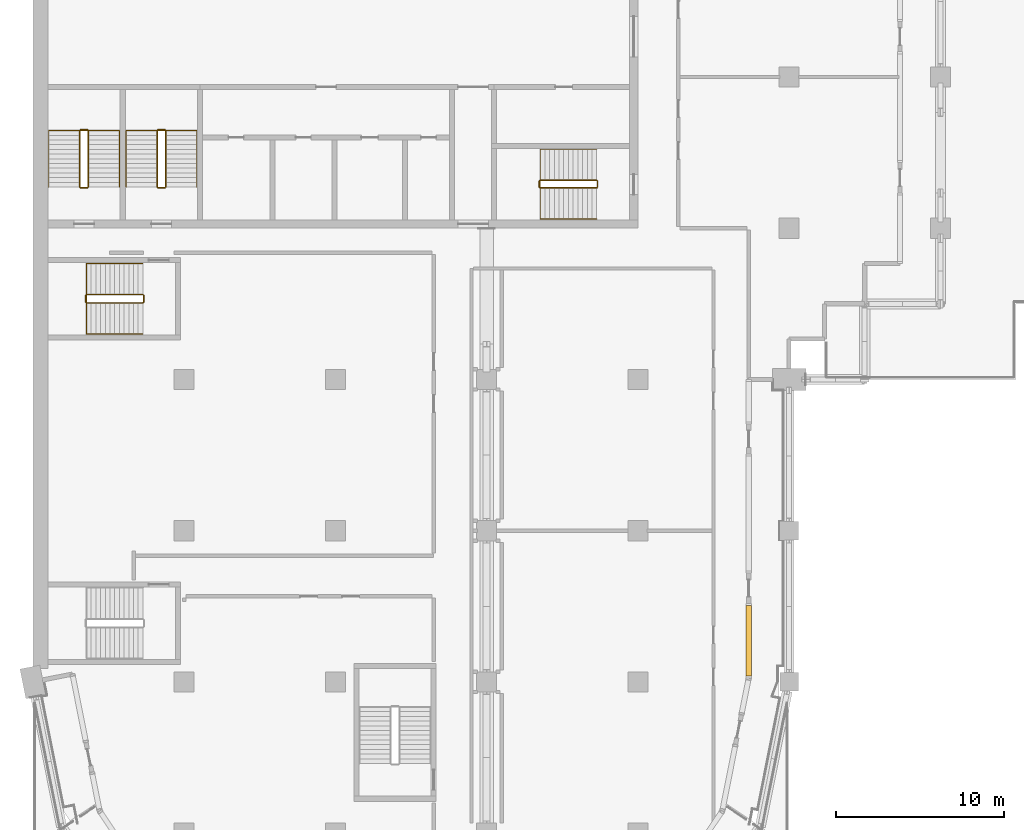
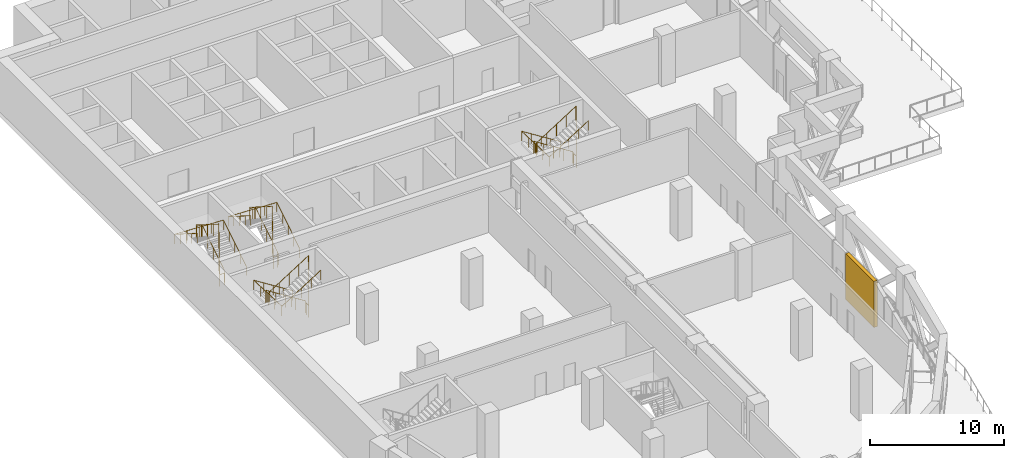
# One storey, part 18 of 20: 8 railings, 1 shading device.
"""IFC4 building model written with IfcOpenShell, lengths in metres."""

from ifc_helpers import new_model, si_unit, direction, frame, origin, origin_2d, place, context, subcontext, project, spatial, rectangle, circle, extrude, material, layer, layer_set, type_object, element, save


model = new_model("IFC4")

# Units and contexts
model_context = context("Model", 3, precision=1e-05, world=origin(), true_north=direction((0.0, 1.0)))
body_context = subcontext(model_context, "Body", "Model", "MODEL_VIEW")
ifc_project = project(units=[si_unit("LENGTHUNIT", "METRE"), si_unit("AREAUNIT", "SQUARE_METRE"), si_unit("VOLUMEUNIT", "CUBIC_METRE"), si_unit("PLANEANGLEUNIT", "RADIAN"), si_unit("MASSUNIT", "GRAM", prefix="KILO")], contexts=[model_context])

# Site, building, storey
site_placement = place(None, origin())
site = spatial("IfcSite", under=ifc_project, at=site_placement, CompositionType="ELEMENT")
building_placement = place(site_placement, origin())
building = spatial("IfcBuilding", under=site, at=building_placement, Name="Hunhe Ridgeline Campus", CompositionType="ELEMENT")
storey_placement = place(building_placement, frame((0.0, 0.0, 178.199951171875)))
storey = spatial("IfcBuildingStorey", under=building, at=storey_placement, Name="L45", CompositionType="ELEMENT", Elevation=178.199951171875)

# Shading device
ifc_material_1 = material(Name="Aluminium 6063", Category="aluminium")
ifc_layer = layer(ifc_material_1, 0.300048828125)
ifc_layer_set = layer_set([ifc_layer], Name="Louvre bank 300 Aluminium 6063")
shading_device_type = type_object("IfcShadingDeviceType", Name="Louvre bank 300 Aluminium 6063", PredefinedType="USERDEFINED", material=ifc_layer_set)
shading_device_placement = place(storey_placement, frame((42.59912109375, 38.45703125, 0.0), z_axis=(0.0, 0.0, 1.0), x_axis=(6.530062e-06, 0.999999999979, 0.0)))
element("IfcShadingDevice", 1, at=shading_device_placement, inside=storey, type_object=shading_device_type, Name="Louvre bank 17", ObjectType="LOUVRE", PredefinedType="USERDEFINED", context=body_context, shape_type="SweptSolid", body=[
    extrude(rectangle(XDim=4.200927734375, YDim=0.300048828125, at=origin_2d()), origin(), (0.0, 0.0, 1.0), 4.199951171875),
])

# Railings
ifc_material_2 = material(Name="Stainless steel balustrade", Category="steel")
railing_type_1 = type_object("IfcRailingType", Name="Stair guard 1100 stainless", PredefinedType="GUARDRAIL", material=ifc_material_2)
railing_1_placement = place(storey_placement, frame((33.550048828125, 65.85009765625, 0.177001953125)))
element("IfcRailing", 2, at=railing_1_placement, inside=storey, type_object=railing_type_1, Name="L45 stair S2 guard", PredefinedType="GUARDRAIL", context=body_context, shape_type="SweptSolid", body=[
    extrude(circle(Radius=0.02392578125, at=origin_2d()), frame((0.0, 0.0, 1.076171875), z_axis=(-0.845389635667, 0.0, 0.534150132366), x_axis=(0.0, -1.0, 0.0)), (0.0, 0.0, 1.0), 3.974609375),
    extrude(circle(Radius=0.02392578125, at=origin_2d()), frame((-3.360107421875, 0.0, 3.19921875), z_axis=(-0.707106781187, -0.707106781187, 0.0), x_axis=(0.707106781187, -0.707106781187, 0.0)), (0.0, 0.0, 1.0), 0.07080078125),
    extrude(circle(Radius=0.02392578125, at=origin_2d()), frame((-3.41015625, -0.050048828125, 3.19921875), z_axis=(0.0, -1.0, 0.0), x_axis=(1.0, 0.0, 0.0)), (0.0, 0.0, 1.0), 0.35009765625),
    extrude(circle(Radius=0.02392578125, at=origin_2d()), frame((-3.41015625, -0.400146484375, 3.19921875), z_axis=(0.262545553595, -0.262545553595, 0.928514762713), x_axis=(0.707106781187, 0.707106781187, 0.0)), (0.0, 0.0, 1.0), 0.190673828125),
    extrude(circle(Radius=0.02392578125, at=origin_2d()), frame((-3.360107421875, -0.4501953125, 3.3759765625), z_axis=(0.845389635667, 0.0, 0.534150132366), x_axis=(0.0, 1.0, 0.0)), (0.0, 0.0, 1.0), 3.974609375),
    extrude(circle(Radius=0.02392578125, at=origin_2d()), frame((0.0, -0.4501953125, 5.4990234375), z_axis=(0.010878661383, 0.010878661383, -0.999881647723), x_axis=(-0.707106781187, 0.707106781187, 0.0)), (0.0, 0.0, 1.0), 4.6005859375),
    extrude(circle(Radius=0.02392578125, at=origin_2d()), frame((0.050048828125, -0.400146484375, 0.89892578125), z_axis=(0.0, 1.0, 0.0), x_axis=(-1.0, 0.0, 0.0)), (0.0, 0.0, 1.0), 0.35009765625),
    extrude(circle(Radius=0.02099609375, at=origin_2d()), origin(), (0.0, 0.0, 1.0), 1.052001953125),
    extrude(circle(Radius=0.02099609375, at=origin_2d()), frame((-0.840087890625, 0.0, 0.53076171875)), (0.0, 0.0, 1.0), 1.052001953125),
    extrude(circle(Radius=0.02099609375, at=origin_2d()), frame((-1.68017578125, 0.0, 1.0615234375)), (0.0, 0.0, 1.0), 1.052001953125),
    extrude(circle(Radius=0.02099609375, at=origin_2d()), frame((-2.52001953125, 0.0, 1.59228515625)), (0.0, 0.0, 1.0), 1.052001953125),
    extrude(circle(Radius=0.02099609375, at=origin_2d()), frame((-3.360107421875, 0.0, 2.123046875)), (0.0, 0.0, 1.0), 1.052001953125),
    extrude(circle(Radius=0.02099609375, at=origin_2d()), frame((-3.41015625, -0.050048828125, 2.123046875)), (0.0, 0.0, 1.0), 1.052001953125),
    extrude(circle(Radius=0.02099609375, at=origin_2d()), frame((-3.41015625, -0.400146484375, 2.123046875)), (0.0, 0.0, 1.0), 1.052001953125),
    extrude(circle(Radius=0.02099609375, at=origin_2d()), frame((-3.360107421875, -0.4501953125, 2.300048828125)), (0.0, 0.0, 1.0), 1.052001953125),
    extrude(circle(Radius=0.02099609375, at=origin_2d()), frame((-2.52001953125, -0.4501953125, 2.830810546875)), (0.0, 0.0, 1.0), 1.052001953125),
    extrude(circle(Radius=0.02099609375, at=origin_2d()), frame((-1.68017578125, -0.4501953125, 3.361572265625)), (0.0, 0.0, 1.0), 1.052001953125),
    extrude(circle(Radius=0.02099609375, at=origin_2d()), frame((-0.840087890625, -0.4501953125, 3.892333984375)), (0.0, 0.0, 1.0), 1.052001953125),
    extrude(circle(Radius=0.02099609375, at=origin_2d()), frame((0.0, -0.4501953125, 4.423095703125)), (0.0, 0.0, 1.0), 1.052001953125),
    extrude(circle(Radius=0.02099609375, at=origin_2d()), frame((0.012451171875, -0.437744140625, 3.27294921875)), (0.0, 0.0, 1.0), 1.052001953125),
    extrude(circle(Radius=0.02099609375, at=origin_2d()), frame((0.02490234375, -0.42529296875, 2.123046875)), (0.0, 0.0, 1.0), 1.052001953125),
    extrude(circle(Radius=0.02099609375, at=origin_2d()), frame((0.03759765625, -0.41259765625, 0.97314453125)), (0.0, 0.0, 1.0), 1.052001953125),
    extrude(circle(Radius=0.02099609375, at=origin_2d()), frame((0.050048828125, -0.400146484375, -0.177001953125)), (0.0, 0.0, 1.0), 1.052001953125),
    extrude(circle(Radius=0.02099609375, at=origin_2d()), frame((0.050048828125, -0.050048828125, -0.177001953125)), (0.0, 0.0, 1.0), 1.052001953125),
])
railing_2_placement = place(storey_placement, frame((3.300048828125, 65.449951171875, 0.177001953125)))
element("IfcRailing", 3, at=railing_2_placement, inside=storey, type_object=railing_type_1, Name="L45 stair S3 guard", PredefinedType="GUARDRAIL", context=body_context, shape_type="SweptSolid", body=[
    extrude(circle(Radius=0.02392578125, at=origin_2d()), frame((0.0, 0.0, 1.076171875), z_axis=(0.0, 0.845389635667, 0.534150132366), x_axis=(-1.0, 0.0, 0.0)), (0.0, 0.0, 1.0), 3.974609375),
    extrude(circle(Radius=0.02392578125, at=origin_2d()), frame((0.0, 3.360107421875, 3.19921875), z_axis=(-0.707106781187, 0.707106781187, 0.0), x_axis=(-0.707106781187, -0.707106781187, 0.0)), (0.0, 0.0, 1.0), 0.07080078125),
    extrude(circle(Radius=0.02392578125, at=origin_2d()), frame((-0.050048828125, 3.41015625, 3.19921875), z_axis=(-1.0, 0.0, 0.0), x_axis=(0.0, -1.0, 0.0)), (0.0, 0.0, 1.0), 0.39990234375),
    extrude(circle(Radius=0.02392578125, at=origin_2d()), frame((-0.449951171875, 3.41015625, 3.19921875), z_axis=(-0.262545553595, -0.262545553595, 0.928514762713), x_axis=(0.707106781187, -0.707106781187, 0.0)), (0.0, 0.0, 1.0), 0.190673828125),
    extrude(circle(Radius=0.02392578125, at=origin_2d()), frame((-0.5, 3.360107421875, 3.3759765625), z_axis=(0.0, -0.845389635667, 0.534150132366), x_axis=(1.0, 0.0, 0.0)), (0.0, 0.0, 1.0), 3.974609375),
    extrude(circle(Radius=0.02392578125, at=origin_2d()), frame((-0.5, 0.0, 5.4990234375), z_axis=(0.010878661383, -0.010878661383, -0.999881647723), x_axis=(0.707106781187, 0.707106781187, 0.0)), (0.0, 0.0, 1.0), 4.6005859375),
    extrude(circle(Radius=0.02392578125, at=origin_2d()), frame((-0.449951171875, -0.050048828125, 0.89892578125), z_axis=(1.0, 0.0, 0.0), x_axis=(0.0, 1.0, 0.0)), (0.0, 0.0, 1.0), 0.39990234375),
    extrude(circle(Radius=0.02099609375, at=origin_2d()), origin(), (0.0, 0.0, 1.0), 1.052001953125),
    extrude(circle(Radius=0.02099609375, at=origin_2d()), frame((0.0, 0.840087890625, 0.53076171875)), (0.0, 0.0, 1.0), 1.052001953125),
    extrude(circle(Radius=0.02099609375, at=origin_2d()), frame((0.0, 1.68017578125, 1.0615234375)), (0.0, 0.0, 1.0), 1.052001953125),
    extrude(circle(Radius=0.02099609375, at=origin_2d()), frame((0.0, 2.52001953125, 1.59228515625)), (0.0, 0.0, 1.0), 1.052001953125),
    extrude(circle(Radius=0.02099609375, at=origin_2d()), frame((0.0, 3.360107421875, 2.123046875)), (0.0, 0.0, 1.0), 1.052001953125),
    extrude(circle(Radius=0.02099609375, at=origin_2d()), frame((-0.050048828125, 3.41015625, 2.123046875)), (0.0, 0.0, 1.0), 1.052001953125),
    extrude(circle(Radius=0.02099609375, at=origin_2d()), frame((-0.449951171875, 3.41015625, 2.123046875)), (0.0, 0.0, 1.0), 1.052001953125),
    extrude(circle(Radius=0.02099609375, at=origin_2d()), frame((-0.5, 3.360107421875, 2.300048828125)), (0.0, 0.0, 1.0), 1.052001953125),
    extrude(circle(Radius=0.02099609375, at=origin_2d()), frame((-0.5, 2.52001953125, 2.830810546875)), (0.0, 0.0, 1.0), 1.052001953125),
    extrude(circle(Radius=0.02099609375, at=origin_2d()), frame((-0.5, 1.68017578125, 3.361572265625)), (0.0, 0.0, 1.0), 1.052001953125),
    extrude(circle(Radius=0.02099609375, at=origin_2d()), frame((-0.5, 0.840087890625, 3.892333984375)), (0.0, 0.0, 1.0), 1.052001953125),
    extrude(circle(Radius=0.02099609375, at=origin_2d()), frame((-0.5, 0.0, 4.423095703125)), (0.0, 0.0, 1.0), 1.052001953125),
    extrude(circle(Radius=0.02099609375, at=origin_2d()), frame((-0.487548828125, -0.012451171875, 3.27294921875)), (0.0, 0.0, 1.0), 1.052001953125),
    extrude(circle(Radius=0.02099609375, at=origin_2d()), frame((-0.47509765625, -0.02490234375, 2.123046875)), (0.0, 0.0, 1.0), 1.052001953125),
    extrude(circle(Radius=0.02099609375, at=origin_2d()), frame((-0.46240234375, -0.03759765625, 0.97314453125)), (0.0, 0.0, 1.0), 1.052001953125),
    extrude(circle(Radius=0.02099609375, at=origin_2d()), frame((-0.449951171875, -0.050048828125, -0.177001953125)), (0.0, 0.0, 1.0), 1.052001953125),
    extrude(circle(Radius=0.02099609375, at=origin_2d()), frame((-0.050048828125, -0.050048828125, -0.177001953125)), (0.0, 0.0, 1.0), 1.052001953125),
])
railing_3_placement = place(storey_placement, frame((7.89990234375, 65.449951171875, 0.177001953125)))
element("IfcRailing", 4, at=railing_3_placement, inside=storey, type_object=railing_type_1, Name="L45 stair S4 guard", PredefinedType="GUARDRAIL", context=body_context, shape_type="SweptSolid", body=[
    extrude(circle(Radius=0.02392578125, at=origin_2d()), frame((0.0, 0.0, 1.076171875), z_axis=(0.0, 0.845389635667, 0.534150132366), x_axis=(-1.0, 0.0, 0.0)), (0.0, 0.0, 1.0), 3.974609375),
    extrude(circle(Radius=0.02392578125, at=origin_2d()), frame((0.0, 3.360107421875, 3.19921875), z_axis=(-0.705375805398, 0.708833529934, 0.0), x_axis=(-0.708833529934, -0.705375805398, 0.0)), (0.0, 0.0, 1.0), 0.070556640625),
    extrude(circle(Radius=0.02392578125, at=origin_2d()), frame((-0.0498046875, 3.41015625, 3.19921875), z_axis=(-1.0, 0.0, 0.0), x_axis=(0.0, -1.0, 0.0)), (0.0, 0.0, 1.0), 0.400146484375),
    extrude(circle(Radius=0.02392578125, at=origin_2d()), frame((-0.449951171875, 3.41015625, 3.19921875), z_axis=(-0.262545553595, -0.262545553595, 0.928514762713), x_axis=(0.707106781187, -0.707106781187, 0.0)), (0.0, 0.0, 1.0), 0.190673828125),
    extrude(circle(Radius=0.02392578125, at=origin_2d()), frame((-0.5, 3.360107421875, 3.3759765625), z_axis=(0.0, -0.845389635667, 0.534150132366), x_axis=(1.0, 0.0, 0.0)), (0.0, 0.0, 1.0), 3.974609375),
    extrude(circle(Radius=0.02392578125, at=origin_2d()), frame((-0.5, 0.0, 5.4990234375), z_axis=(0.010878661383, -0.010878661383, -0.999881647723), x_axis=(0.707106781187, 0.707106781187, 0.0)), (0.0, 0.0, 1.0), 4.6005859375),
    extrude(circle(Radius=0.02392578125, at=origin_2d()), frame((-0.449951171875, -0.050048828125, 0.89892578125), z_axis=(1.0, 0.0, 0.0), x_axis=(0.0, 1.0, 0.0)), (0.0, 0.0, 1.0), 0.400146484375),
    extrude(circle(Radius=0.02099609375, at=origin_2d()), origin(), (0.0, 0.0, 1.0), 1.052001953125),
    extrude(circle(Radius=0.02099609375, at=origin_2d()), frame((0.0, 0.840087890625, 0.53076171875)), (0.0, 0.0, 1.0), 1.052001953125),
    extrude(circle(Radius=0.02099609375, at=origin_2d()), frame((0.0, 1.68017578125, 1.0615234375)), (0.0, 0.0, 1.0), 1.052001953125),
    extrude(circle(Radius=0.02099609375, at=origin_2d()), frame((0.0, 2.52001953125, 1.59228515625)), (0.0, 0.0, 1.0), 1.052001953125),
    extrude(circle(Radius=0.02099609375, at=origin_2d()), frame((0.0, 3.360107421875, 2.123046875)), (0.0, 0.0, 1.0), 1.052001953125),
    extrude(circle(Radius=0.02099609375, at=origin_2d()), frame((-0.0498046875, 3.41015625, 2.123046875)), (0.0, 0.0, 1.0), 1.052001953125),
    extrude(circle(Radius=0.02099609375, at=origin_2d()), frame((-0.449951171875, 3.41015625, 2.123046875)), (0.0, 0.0, 1.0), 1.052001953125),
    extrude(circle(Radius=0.02099609375, at=origin_2d()), frame((-0.5, 3.360107421875, 2.300048828125)), (0.0, 0.0, 1.0), 1.052001953125),
    extrude(circle(Radius=0.02099609375, at=origin_2d()), frame((-0.5, 2.52001953125, 2.830810546875)), (0.0, 0.0, 1.0), 1.052001953125),
    extrude(circle(Radius=0.02099609375, at=origin_2d()), frame((-0.5, 1.68017578125, 3.361572265625)), (0.0, 0.0, 1.0), 1.052001953125),
    extrude(circle(Radius=0.02099609375, at=origin_2d()), frame((-0.5, 0.840087890625, 3.892333984375)), (0.0, 0.0, 1.0), 1.052001953125),
    extrude(circle(Radius=0.02099609375, at=origin_2d()), frame((-0.5, 0.0, 4.423095703125)), (0.0, 0.0, 1.0), 1.052001953125),
    extrude(circle(Radius=0.02099609375, at=origin_2d()), frame((-0.487548828125, -0.012451171875, 3.27294921875)), (0.0, 0.0, 1.0), 1.052001953125),
    extrude(circle(Radius=0.02099609375, at=origin_2d()), frame((-0.47509765625, -0.02490234375, 2.123046875)), (0.0, 0.0, 1.0), 1.052001953125),
    extrude(circle(Radius=0.02099609375, at=origin_2d()), frame((-0.46240234375, -0.03759765625, 0.97314453125)), (0.0, 0.0, 1.0), 1.052001953125),
    extrude(circle(Radius=0.02099609375, at=origin_2d()), frame((-0.449951171875, -0.050048828125, -0.177001953125)), (0.0, 0.0, 1.0), 1.052001953125),
    extrude(circle(Radius=0.02099609375, at=origin_2d()), frame((-0.0498046875, -0.050048828125, -0.177001953125)), (0.0, 0.0, 1.0), 1.052001953125),
])
railing_4_placement = place(storey_placement, frame((6.550048828125, 59.050048828125, 0.177001953125)))
element("IfcRailing", 5, at=railing_4_placement, inside=storey, type_object=railing_type_1, Name="L45 stair W2 guard", PredefinedType="GUARDRAIL", context=body_context, shape_type="SweptSolid", body=[
    extrude(circle(Radius=0.02392578125, at=origin_2d()), frame((0.0, 0.0, 1.076171875), z_axis=(-0.845389635667, 0.0, 0.534150132366), x_axis=(0.0, -1.0, 0.0)), (0.0, 0.0, 1.0), 3.974609375),
    extrude(circle(Radius=0.02392578125, at=origin_2d()), frame((-3.360107421875, 0.0, 3.19921875), z_axis=(-0.707106781187, -0.707106781187, 0.0), x_axis=(0.707106781187, -0.707106781187, 0.0)), (0.0, 0.0, 1.0), 0.07080078125),
    extrude(circle(Radius=0.02392578125, at=origin_2d()), frame((-3.41015625, -0.050048828125, 3.19921875), z_axis=(0.0, -1.0, 0.0), x_axis=(1.0, 0.0, 0.0)), (0.0, 0.0, 1.0), 0.39990234375),
    extrude(circle(Radius=0.02392578125, at=origin_2d()), frame((-3.41015625, -0.449951171875, 3.19921875), z_axis=(0.262545553595, -0.262545553595, 0.928514762713), x_axis=(0.707106781187, 0.707106781187, 0.0)), (0.0, 0.0, 1.0), 0.190673828125),
    extrude(circle(Radius=0.02392578125, at=origin_2d()), frame((-3.360107421875, -0.5, 3.3759765625), z_axis=(0.845389635667, 0.0, 0.534150132366), x_axis=(0.0, 1.0, 0.0)), (0.0, 0.0, 1.0), 3.974609375),
    extrude(circle(Radius=0.02392578125, at=origin_2d()), frame((0.0, -0.5, 5.4990234375), z_axis=(0.010878661383, 0.010878661383, -0.999881647723), x_axis=(-0.707106781187, 0.707106781187, 0.0)), (0.0, 0.0, 1.0), 4.6005859375),
    extrude(circle(Radius=0.02392578125, at=origin_2d()), frame((0.050048828125, -0.449951171875, 0.89892578125), z_axis=(0.0, 1.0, 0.0), x_axis=(-1.0, 0.0, 0.0)), (0.0, 0.0, 1.0), 0.39990234375),
    extrude(circle(Radius=0.02099609375, at=origin_2d()), origin(), (0.0, 0.0, 1.0), 1.052001953125),
    extrude(circle(Radius=0.02099609375, at=origin_2d()), frame((-0.840087890625, 0.0, 0.53076171875)), (0.0, 0.0, 1.0), 1.052001953125),
    extrude(circle(Radius=0.02099609375, at=origin_2d()), frame((-1.68017578125, 0.0, 1.0615234375)), (0.0, 0.0, 1.0), 1.052001953125),
    extrude(circle(Radius=0.02099609375, at=origin_2d()), frame((-2.52001953125, 0.0, 1.59228515625)), (0.0, 0.0, 1.0), 1.052001953125),
    extrude(circle(Radius=0.02099609375, at=origin_2d()), frame((-3.360107421875, 0.0, 2.123046875)), (0.0, 0.0, 1.0), 1.052001953125),
    extrude(circle(Radius=0.02099609375, at=origin_2d()), frame((-3.41015625, -0.050048828125, 2.123046875)), (0.0, 0.0, 1.0), 1.052001953125),
    extrude(circle(Radius=0.02099609375, at=origin_2d()), frame((-3.41015625, -0.449951171875, 2.123046875)), (0.0, 0.0, 1.0), 1.052001953125),
    extrude(circle(Radius=0.02099609375, at=origin_2d()), frame((-3.360107421875, -0.5, 2.300048828125)), (0.0, 0.0, 1.0), 1.052001953125),
    extrude(circle(Radius=0.02099609375, at=origin_2d()), frame((-2.52001953125, -0.5, 2.830810546875)), (0.0, 0.0, 1.0), 1.052001953125),
    extrude(circle(Radius=0.02099609375, at=origin_2d()), frame((-1.68017578125, -0.5, 3.361572265625)), (0.0, 0.0, 1.0), 1.052001953125),
    extrude(circle(Radius=0.02099609375, at=origin_2d()), frame((-0.840087890625, -0.5, 3.892333984375)), (0.0, 0.0, 1.0), 1.052001953125),
    extrude(circle(Radius=0.02099609375, at=origin_2d()), frame((0.0, -0.5, 4.423095703125)), (0.0, 0.0, 1.0), 1.052001953125),
    extrude(circle(Radius=0.02099609375, at=origin_2d()), frame((0.012451171875, -0.487548828125, 3.27294921875)), (0.0, 0.0, 1.0), 1.052001953125),
    extrude(circle(Radius=0.02099609375, at=origin_2d()), frame((0.02490234375, -0.47509765625, 2.123046875)), (0.0, 0.0, 1.0), 1.052001953125),
    extrude(circle(Radius=0.02099609375, at=origin_2d()), frame((0.03759765625, -0.46240234375, 0.97314453125)), (0.0, 0.0, 1.0), 1.052001953125),
    extrude(circle(Radius=0.02099609375, at=origin_2d()), frame((0.050048828125, -0.449951171875, -0.177001953125)), (0.0, 0.0, 1.0), 1.052001953125),
    extrude(circle(Radius=0.02099609375, at=origin_2d()), frame((0.050048828125, -0.050048828125, -0.177001953125)), (0.0, 0.0, 1.0), 1.052001953125),
])
ifc_material_3 = material(Name="Stainless steel handrail", Category="steel")
railing_type_2 = type_object("IfcRailingType", Name="Stair handrail 900 stainless", PredefinedType="HANDRAIL", material=ifc_material_3)
railing_5_placement = place(storey_placement, frame((33.550048828125, 67.699951171875, 0.177001953125)))
element("IfcRailing", 6, at=railing_5_placement, inside=storey, type_object=railing_type_2, Name="L45 stair S2 handrail", PredefinedType="HANDRAIL", context=body_context, shape_type="SweptSolid", body=[
    extrude(circle(Radius=0.02392578125, at=origin_2d()), frame((0.0, 0.0, 0.8759765625), z_axis=(-0.845389635667, 0.0, 0.534150132366), x_axis=(0.0, -1.0, 0.0)), (0.0, 0.0, 1.0), 3.974609375),
    extrude(circle(Radius=0.02392578125, at=origin_2d()), frame((-3.360107421875, 0.0, 2.9990234375), z_axis=(0.0, -0.999091639355, 0.042613333247), x_axis=(1.0, 0.0, 0.0)), (0.0, 0.0, 1.0), 4.153564453125),
    extrude(circle(Radius=0.02392578125, at=origin_2d()), frame((-3.360107421875, -4.14990234375, 3.17578125), z_axis=(0.845389635667, 0.0, 0.534150132366), x_axis=(0.0, 1.0, 0.0)), (0.0, 0.0, 1.0), 3.974609375),
    extrude(circle(Radius=0.02099609375, at=origin_2d()), origin(), (0.0, 0.0, 1.0), 0.851806640625),
    extrude(circle(Radius=0.02099609375, at=origin_2d()), frame((-0.840087890625, 0.0, 0.53076171875)), (0.0, 0.0, 1.0), 0.851806640625),
    extrude(circle(Radius=0.02099609375, at=origin_2d()), frame((-1.68017578125, 0.0, 1.0615234375)), (0.0, 0.0, 1.0), 0.851806640625),
    extrude(circle(Radius=0.02099609375, at=origin_2d()), frame((-2.52001953125, 0.0, 1.59228515625)), (0.0, 0.0, 1.0), 0.851806640625),
    extrude(circle(Radius=0.02099609375, at=origin_2d()), frame((-3.360107421875, 0.0, 2.123046875)), (0.0, 0.0, 1.0), 0.851806640625),
    extrude(circle(Radius=0.02099609375, at=origin_2d()), frame((-3.360107421875, -1.03759765625, 2.167236328125)), (0.0, 0.0, 1.0), 0.851806640625),
    extrude(circle(Radius=0.02099609375, at=origin_2d()), frame((-3.360107421875, -2.074951171875, 2.21142578125)), (0.0, 0.0, 1.0), 0.851806640625),
    extrude(circle(Radius=0.02099609375, at=origin_2d()), frame((-3.360107421875, -3.1123046875, 2.255859375)), (0.0, 0.0, 1.0), 0.851806640625),
    extrude(circle(Radius=0.02099609375, at=origin_2d()), frame((-3.360107421875, -4.14990234375, 2.300048828125)), (0.0, 0.0, 1.0), 0.851806640625),
    extrude(circle(Radius=0.02099609375, at=origin_2d()), frame((-2.52001953125, -4.14990234375, 2.830810546875)), (0.0, 0.0, 1.0), 0.851806640625),
    extrude(circle(Radius=0.02099609375, at=origin_2d()), frame((-1.68017578125, -4.14990234375, 3.361572265625)), (0.0, 0.0, 1.0), 0.851806640625),
    extrude(circle(Radius=0.02099609375, at=origin_2d()), frame((-0.840087890625, -4.14990234375, 3.892333984375)), (0.0, 0.0, 1.0), 0.851806640625),
    extrude(circle(Radius=0.02099609375, at=origin_2d()), frame((0.0, -4.14990234375, 4.423095703125)), (0.0, 0.0, 1.0), 0.851806640625),
])
railing_6_placement = place(storey_placement, frame((5.14990234375, 65.449951171875, 0.177001953125)))
element("IfcRailing", 7, at=railing_6_placement, inside=storey, type_object=railing_type_2, Name="L45 stair S3 handrail", PredefinedType="HANDRAIL", context=body_context, shape_type="SweptSolid", body=[
    extrude(circle(Radius=0.02392578125, at=origin_2d()), frame((0.0, 0.0, 0.8759765625), z_axis=(0.0, 0.845389635667, 0.534150132366), x_axis=(-1.0, 0.0, 0.0)), (0.0, 0.0, 1.0), 3.974609375),
    extrude(circle(Radius=0.02392578125, at=origin_2d()), frame((0.0, 3.360107421875, 2.9990234375), z_axis=(-0.999113130752, 0.0, 0.042106436075), x_axis=(0.0, -1.0, 0.0)), (0.0, 0.0, 1.0), 4.20361328125),
    extrude(circle(Radius=0.02392578125, at=origin_2d()), frame((-4.199951171875, 3.360107421875, 3.17578125), z_axis=(0.0, -0.845389635667, 0.534150132366), x_axis=(1.0, 0.0, 0.0)), (0.0, 0.0, 1.0), 3.974609375),
    extrude(circle(Radius=0.02099609375, at=origin_2d()), origin(), (0.0, 0.0, 1.0), 0.851806640625),
    extrude(circle(Radius=0.02099609375, at=origin_2d()), frame((0.0, 0.840087890625, 0.53076171875)), (0.0, 0.0, 1.0), 0.851806640625),
    extrude(circle(Radius=0.02099609375, at=origin_2d()), frame((0.0, 1.68017578125, 1.0615234375)), (0.0, 0.0, 1.0), 0.851806640625),
    extrude(circle(Radius=0.02099609375, at=origin_2d()), frame((0.0, 2.52001953125, 1.59228515625)), (0.0, 0.0, 1.0), 0.851806640625),
    extrude(circle(Radius=0.02099609375, at=origin_2d()), frame((0.0, 3.360107421875, 2.123046875)), (0.0, 0.0, 1.0), 0.851806640625),
    extrude(circle(Radius=0.02099609375, at=origin_2d()), frame((-1.050048828125, 3.360107421875, 2.167236328125)), (0.0, 0.0, 1.0), 0.851806640625),
    extrude(circle(Radius=0.02099609375, at=origin_2d()), frame((-2.10009765625, 3.360107421875, 2.21142578125)), (0.0, 0.0, 1.0), 0.851806640625),
    extrude(circle(Radius=0.02099609375, at=origin_2d()), frame((-3.14990234375, 3.360107421875, 2.255859375)), (0.0, 0.0, 1.0), 0.851806640625),
    extrude(circle(Radius=0.02099609375, at=origin_2d()), frame((-4.199951171875, 3.360107421875, 2.300048828125)), (0.0, 0.0, 1.0), 0.851806640625),
    extrude(circle(Radius=0.02099609375, at=origin_2d()), frame((-4.199951171875, 2.52001953125, 2.830810546875)), (0.0, 0.0, 1.0), 0.851806640625),
    extrude(circle(Radius=0.02099609375, at=origin_2d()), frame((-4.199951171875, 1.68017578125, 3.361572265625)), (0.0, 0.0, 1.0), 0.851806640625),
    extrude(circle(Radius=0.02099609375, at=origin_2d()), frame((-4.199951171875, 0.840087890625, 3.892333984375)), (0.0, 0.0, 1.0), 0.851806640625),
    extrude(circle(Radius=0.02099609375, at=origin_2d()), frame((-4.199951171875, 0.0, 4.423095703125)), (0.0, 0.0, 1.0), 0.851806640625),
])
railing_7_placement = place(storey_placement, frame((9.75, 65.449951171875, 0.177001953125)))
element("IfcRailing", 8, at=railing_7_placement, inside=storey, type_object=railing_type_2, Name="L45 stair S4 handrail", PredefinedType="HANDRAIL", context=body_context, shape_type="SweptSolid", body=[
    extrude(circle(Radius=0.02392578125, at=origin_2d()), frame((0.0, 0.0, 0.8759765625), z_axis=(0.0, 0.845389635667, 0.534150132366), x_axis=(-1.0, 0.0, 0.0)), (0.0, 0.0, 1.0), 3.974609375),
    extrude(circle(Radius=0.02392578125, at=origin_2d()), frame((0.0, 3.360107421875, 2.9990234375), z_axis=(-0.999113130752, 0.0, 0.042106436075), x_axis=(0.0, -1.0, 0.0)), (0.0, 0.0, 1.0), 4.20361328125),
    extrude(circle(Radius=0.02392578125, at=origin_2d()), frame((-4.199951171875, 3.360107421875, 3.17578125), z_axis=(0.0, -0.845389635667, 0.534150132366), x_axis=(1.0, 0.0, 0.0)), (0.0, 0.0, 1.0), 3.974609375),
    extrude(circle(Radius=0.02099609375, at=origin_2d()), origin(), (0.0, 0.0, 1.0), 0.851806640625),
    extrude(circle(Radius=0.02099609375, at=origin_2d()), frame((0.0, 0.840087890625, 0.53076171875)), (0.0, 0.0, 1.0), 0.851806640625),
    extrude(circle(Radius=0.02099609375, at=origin_2d()), frame((0.0, 1.68017578125, 1.0615234375)), (0.0, 0.0, 1.0), 0.851806640625),
    extrude(circle(Radius=0.02099609375, at=origin_2d()), frame((0.0, 2.52001953125, 1.59228515625)), (0.0, 0.0, 1.0), 0.851806640625),
    extrude(circle(Radius=0.02099609375, at=origin_2d()), frame((0.0, 3.360107421875, 2.123046875)), (0.0, 0.0, 1.0), 0.851806640625),
    extrude(circle(Radius=0.02099609375, at=origin_2d()), frame((-1.050048828125, 3.360107421875, 2.167236328125)), (0.0, 0.0, 1.0), 0.851806640625),
    extrude(circle(Radius=0.02099609375, at=origin_2d()), frame((-2.10009765625, 3.360107421875, 2.21142578125)), (0.0, 0.0, 1.0), 0.851806640625),
    extrude(circle(Radius=0.02099609375, at=origin_2d()), frame((-3.14990234375, 3.360107421875, 2.255859375)), (0.0, 0.0, 1.0), 0.851806640625),
    extrude(circle(Radius=0.02099609375, at=origin_2d()), frame((-4.199951171875, 3.360107421875, 2.300048828125)), (0.0, 0.0, 1.0), 0.851806640625),
    extrude(circle(Radius=0.02099609375, at=origin_2d()), frame((-4.199951171875, 2.52001953125, 2.830810546875)), (0.0, 0.0, 1.0), 0.851806640625),
    extrude(circle(Radius=0.02099609375, at=origin_2d()), frame((-4.199951171875, 1.68017578125, 3.361572265625)), (0.0, 0.0, 1.0), 0.851806640625),
    extrude(circle(Radius=0.02099609375, at=origin_2d()), frame((-4.199951171875, 0.840087890625, 3.892333984375)), (0.0, 0.0, 1.0), 0.851806640625),
    extrude(circle(Radius=0.02099609375, at=origin_2d()), frame((-4.199951171875, 0.0, 4.423095703125)), (0.0, 0.0, 1.0), 0.851806640625),
])
railing_8_placement = place(storey_placement, frame((6.550048828125, 60.89990234375, 0.177001953125)))
element("IfcRailing", 9, at=railing_8_placement, inside=storey, type_object=railing_type_2, Name="L45 stair W2 handrail", PredefinedType="HANDRAIL", context=body_context, shape_type="SweptSolid", body=[
    extrude(circle(Radius=0.02392578125, at=origin_2d()), frame((0.0, 0.0, 0.8759765625), z_axis=(-0.845389635667, 0.0, 0.534150132366), x_axis=(0.0, -1.0, 0.0)), (0.0, 0.0, 1.0), 3.974609375),
    extrude(circle(Radius=0.02392578125, at=origin_2d()), frame((-3.360107421875, 0.0, 2.9990234375), z_axis=(0.0, -0.999113130752, 0.042106436075), x_axis=(1.0, 0.0, 0.0)), (0.0, 0.0, 1.0), 4.20361328125),
    extrude(circle(Radius=0.02392578125, at=origin_2d()), frame((-3.360107421875, -4.199951171875, 3.17578125), z_axis=(0.845389635667, 0.0, 0.534150132366), x_axis=(0.0, 1.0, 0.0)), (0.0, 0.0, 1.0), 3.974609375),
    extrude(circle(Radius=0.02099609375, at=origin_2d()), origin(), (0.0, 0.0, 1.0), 0.851806640625),
    extrude(circle(Radius=0.02099609375, at=origin_2d()), frame((-0.840087890625, 0.0, 0.53076171875)), (0.0, 0.0, 1.0), 0.851806640625),
    extrude(circle(Radius=0.02099609375, at=origin_2d()), frame((-1.68017578125, 0.0, 1.0615234375)), (0.0, 0.0, 1.0), 0.851806640625),
    extrude(circle(Radius=0.02099609375, at=origin_2d()), frame((-2.52001953125, 0.0, 1.59228515625)), (0.0, 0.0, 1.0), 0.851806640625),
    extrude(circle(Radius=0.02099609375, at=origin_2d()), frame((-3.360107421875, 0.0, 2.123046875)), (0.0, 0.0, 1.0), 0.851806640625),
    extrude(circle(Radius=0.02099609375, at=origin_2d()), frame((-3.360107421875, -1.050048828125, 2.167236328125)), (0.0, 0.0, 1.0), 0.851806640625),
    extrude(circle(Radius=0.02099609375, at=origin_2d()), frame((-3.360107421875, -2.10009765625, 2.21142578125)), (0.0, 0.0, 1.0), 0.851806640625),
    extrude(circle(Radius=0.02099609375, at=origin_2d()), frame((-3.360107421875, -3.14990234375, 2.255859375)), (0.0, 0.0, 1.0), 0.851806640625),
    extrude(circle(Radius=0.02099609375, at=origin_2d()), frame((-3.360107421875, -4.199951171875, 2.300048828125)), (0.0, 0.0, 1.0), 0.851806640625),
    extrude(circle(Radius=0.02099609375, at=origin_2d()), frame((-2.52001953125, -4.199951171875, 2.830810546875)), (0.0, 0.0, 1.0), 0.851806640625),
    extrude(circle(Radius=0.02099609375, at=origin_2d()), frame((-1.68017578125, -4.199951171875, 3.361572265625)), (0.0, 0.0, 1.0), 0.851806640625),
    extrude(circle(Radius=0.02099609375, at=origin_2d()), frame((-0.840087890625, -4.199951171875, 3.892333984375)), (0.0, 0.0, 1.0), 0.851806640625),
    extrude(circle(Radius=0.02099609375, at=origin_2d()), frame((0.0, -4.199951171875, 4.423095703125)), (0.0, 0.0, 1.0), 0.851806640625),
])

save(model, "model.ifc")
